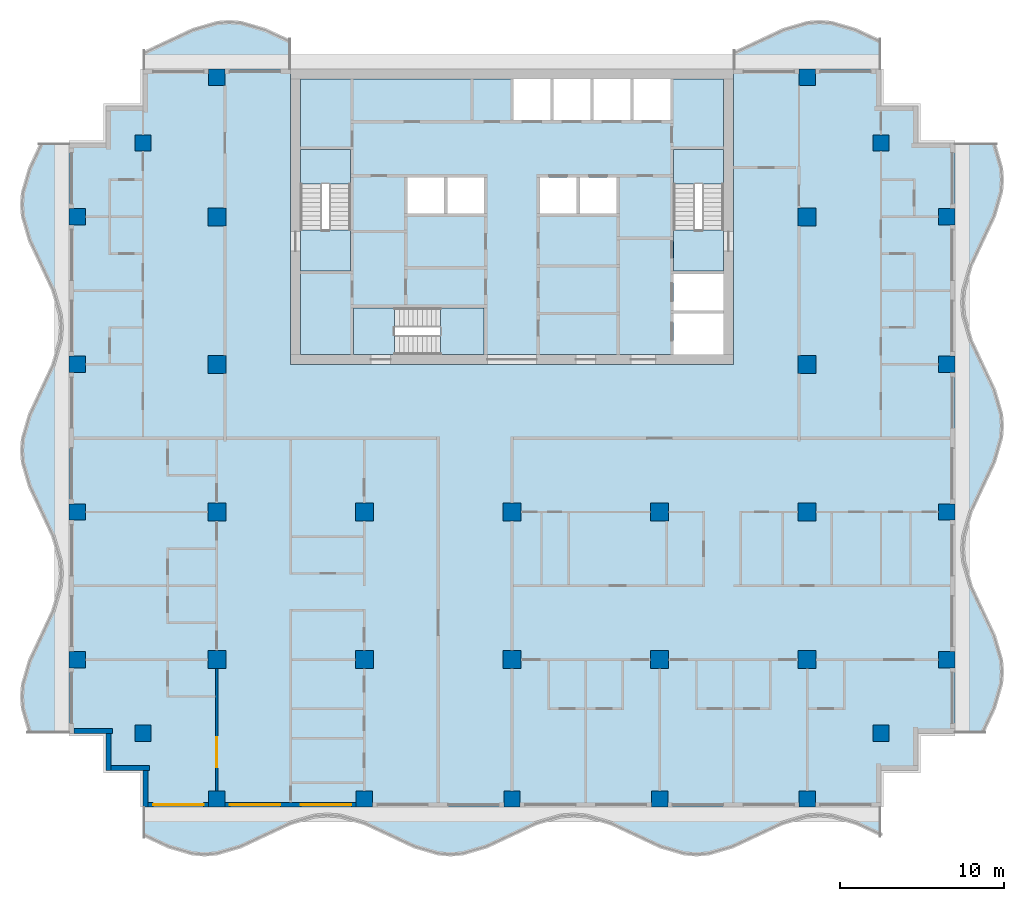
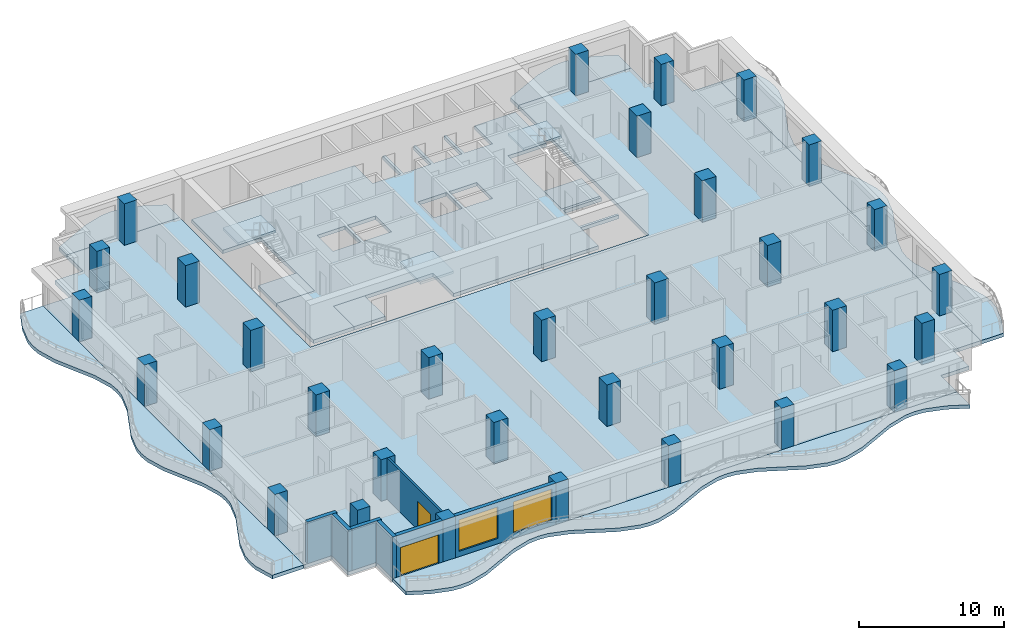
# One storey, part 1 of 12: 33 columns, 13 slabs, 7 walls, 2 doors, 2 windows, 4 openings, 3 elements without a shape of their own.
"""IFC4 building model written with IfcOpenShell, lengths in metres."""

from ifc_helpers import new_model, si_unit, direction, frame, frame_2d, origin, origin_2d, place, context, subcontext, project, spatial, polyline, rectangle, outline, extrude, material, layer, layer_set, material_profile, profile_set, type_object, element, fill, aggregate, save


model = new_model("IFC4")

# Units and contexts
model_context = context("Model", 3, precision=1e-05, world=origin(), true_north=direction((0.0, 1.0)))
body_context = subcontext(model_context, "Body", "Model", "MODEL_VIEW")
ifc_project = project(units=[si_unit("LENGTHUNIT", "METRE"), si_unit("AREAUNIT", "SQUARE_METRE"), si_unit("VOLUMEUNIT", "CUBIC_METRE"), si_unit("PLANEANGLEUNIT", "RADIAN"), si_unit("MASSUNIT", "GRAM", prefix="KILO")], contexts=[model_context])

# Site, building, storey
site_placement = place(None, origin())
site = spatial("IfcSite", under=ifc_project, at=site_placement, CompositionType="ELEMENT")
building_placement = place(site_placement, origin())
building = spatial("IfcBuilding", under=site, at=building_placement, Name="Orbiselva Terraces", CompositionType="ELEMENT")
storey_placement = place(building_placement, frame((0.0, 0.0, 211.0)))
storey = spatial("IfcBuildingStorey", under=building, at=storey_placement, Name="L53", CompositionType="ELEMENT", Elevation=211.0)

# Columns
ifc_material_1 = material(Name="Concrete C60/75", Category="concrete")
ifc_material_profile_1 = material_profile(ifc_material_1, rectangle(XDim=1.1, YDim=1.1, at=origin_2d()), Name="RC 1100x1100")
ifc_profile_set_1 = profile_set([ifc_material_profile_1], Name="Concrete C60/75")
column_type_1 = type_object("IfcColumnType", Name="COLUMN RC 1100x1100", PredefinedType="COLUMN", material=ifc_profile_set_1)
for number, where, z_axis, x_axis, name in (
    (1, (-18.0, -13.5, 0.0), (0.0, 0.0, 1.0), (1.0, 0.0, 0.0), "Column L53-01"),
    (2, (-18.0, -4.5, 0.0), (0.0, 0.0, 1.0), (1.0, 0.0, 0.0), "Column L53-03"),
    (3, (-18.0, 13.5, 0.0), (0.0, 0.0, 1.0), (1.0, 0.0, 0.0), "Column L53-04"),
    (4, (-18.0, 4.5, 0.0), (0.0, 0.0, 1.0), (1.0, 0.0, 0.0), "Column L53-06"),
    (5, (-9.0, -13.5, 0.0), (0.0, 0.0, 1.0), (1.0, 0.0, 0.0), "Column L53-13"),
    (6, (-9.0, -4.5, 0.0), (0.0, 0.0, 1.0), (1.0, 0.0, 0.0), "Column L53-15"),
    (7, (0.0, -13.5, 0.0), (0.0, 0.0, 1.0), (1.0, 0.0, 0.0), "Column L53-16"),
    (8, (0.0, -4.5, 0.0), (0.0, 0.0, 1.0), (1.0, 0.0, 0.0), "Column L53-18"),
    (9, (18.0, -13.5, 0.0), (0.0, 0.0, 1.0), (1.0, 0.0, 0.0), "Column L53-19"),
    (10, (18.0, -4.5, 0.0), (0.0, 0.0, 1.0), (1.0, 0.0, 0.0), "Column L53-21"),
    (11, (18.0, 13.5, 0.0), (0.0, 0.0, 1.0), (1.0, 0.0, 0.0), "Column L53-22"),
    (12, (18.0, 4.5, 0.0), (0.0, 0.0, 1.0), (1.0, 0.0, 0.0), "Column L53-24"),
    (13, (9.0, -13.5, 0.0), (0.0, 0.0, 1.0), (1.0, 0.0, 0.0), "Column L53-31"),
    (14, (9.0, -4.5, 0.0), (0.0, 0.0, 1.0), (1.0, 0.0, 0.0), "Column L53-33"),
):
    element("IfcColumn", number, at=place(storey_placement, frame(where, z_axis=z_axis, x_axis=x_axis)), inside=storey, type_object=column_type_1, Name=name, PredefinedType="COLUMN", context=body_context, shape_type="SweptSolid", body=[
        extrude(rectangle(XDim=1.1, YDim=1.1, at=origin_2d()), origin(), (0.0, 0.0, 1.0), 3.5),
    ])
ifc_material_2 = material(Name="Concrete C50/60", Category="concrete")
ifc_material_profile_2 = material_profile(ifc_material_2, rectangle(XDim=1.0, YDim=1.0, at=origin_2d()), Name="RC 1000x1000")
ifc_profile_set_2 = profile_set([ifc_material_profile_2], Name="Concrete C50/60")
column_type_2 = type_object("IfcColumnType", Name="PERIMETER COLUMN RC 1000x1000", PredefinedType="COLUMN", material=ifc_profile_set_2)
for number, where, z_axis, x_axis, name in (
    (15, (-18.0, -22.0, 0.0), (0.0, 0.0, 1.0), (1.0, 0.0, 0.0), "Column L53-02"),
    (16, (-18.0, 22.0, 0.0), (0.0, 0.0, 1.0), (1.0, 0.0, 0.0), "Column L53-05"),
    (17, (-26.5, -13.5, 0.0), (0.0, 0.0, 1.0), (1.0, 0.0, 0.0), "Column L53-07"),
    (18, (-22.5, -18.0, 0.0), (0.0, 0.0, 1.0), (1.0, 0.0, 0.0), "Column L53-08"),
    (19, (-26.5, -4.5, 0.0), (0.0, 0.0, 1.0), (1.0, 0.0, 0.0), "Column L53-09"),
    (20, (-26.5, 13.5, 0.0), (0.0, 0.0, 1.0), (1.0, 0.0, 0.0), "Column L53-10"),
    (21, (-22.5, 18.0, 0.0), (0.0, 0.0, 1.0), (1.0, 0.0, 0.0), "Column L53-11"),
    (22, (-26.5, 4.5, 0.0), (0.0, 0.0, 1.0), (1.0, 0.0, 0.0), "Column L53-12"),
    (23, (-9.0, -22.0, 0.0), (0.0, 0.0, 1.0), (1.0, 0.0, 0.0), "Column L53-14"),
    (24, (0.0, -22.0, 0.0), (0.0, 0.0, 1.0), (1.0, 0.0, 0.0), "Column L53-17"),
    (25, (18.0, -22.0, 0.0), (0.0, 0.0, 1.0), (1.0, 0.0, 0.0), "Column L53-20"),
    (26, (18.0, 22.0, 0.0), (0.0, 0.0, 1.0), (1.0, 0.0, 0.0), "Column L53-23"),
    (27, (26.5, -13.5, 0.0), (0.0, 0.0, 1.0), (1.0, 0.0, 0.0), "Column L53-25"),
    (28, (22.5, -18.0, 0.0), (0.0, 0.0, 1.0), (1.0, 0.0, 0.0), "Column L53-26"),
    (29, (26.5, -4.5, 0.0), (0.0, 0.0, 1.0), (1.0, 0.0, 0.0), "Column L53-27"),
    (30, (26.5, 13.5, 0.0), (0.0, 0.0, 1.0), (1.0, 0.0, 0.0), "Column L53-28"),
    (31, (22.5, 18.0, 0.0), (0.0, 0.0, 1.0), (1.0, 0.0, 0.0), "Column L53-29"),
    (32, (26.5, 4.5, 0.0), (0.0, 0.0, 1.0), (1.0, 0.0, 0.0), "Column L53-30"),
    (33, (9.0, -22.0, 0.0), (0.0, 0.0, 1.0), (1.0, 0.0, 0.0), "Column L53-32"),
):
    element("IfcColumn", number, at=place(storey_placement, frame(where, z_axis=z_axis, x_axis=x_axis)), inside=storey, type_object=column_type_2, Name=name, PredefinedType="COLUMN", context=body_context, shape_type="SweptSolid", body=[
        extrude(rectangle(XDim=1.0, YDim=1.0, at=origin_2d()), origin(), (0.0, 0.0, 1.0), 3.5),
    ])

# Slabs
ifc_material_3 = material(Name="Concrete C40/50", Category="concrete")
ifc_layer_1 = layer(ifc_material_3, 0.3)
ifc_layer_set_1 = layer_set([ifc_layer_1], Name="Concrete C40/50")
slab_type_1 = type_object("IfcSlabType", Name="CORE-SLAB-FLOOR-300", PredefinedType="FLOOR", material=ifc_layer_set_1)
slab_1_placement = place(storey_placement, frame((0.0, 0.0, -0.3)))
element("IfcSlab", 34, at=slab_1_placement, inside=storey, type_object=slab_type_1, Name="L53 S1 floor landing", PredefinedType="FLOOR", context=body_context, shape_type="SweptSolid", body=[
    extrude(outline(polyline([(-12.9, 12.7), (-9.85, 12.7), (-9.85, 10.2), (-12.9, 10.2), (-12.9, 12.7)])), origin(), (0.0, 0.0, 1.0), 0.3),
])
slab_2_placement = place(storey_placement, frame((0.0, 0.0, -0.3)))
element("IfcSlab", 35, at=slab_2_placement, inside=storey, type_object=slab_type_1, Name="L53 S2 floor landing", PredefinedType="FLOOR", context=body_context, shape_type="SweptSolid", body=[
    extrude(outline(polyline([(12.9, 12.7), (12.9, 10.2), (9.85, 10.2), (9.85, 12.7), (12.9, 12.7)])), origin(), (0.0, 0.0, 1.0), 0.3),
])
slab_3_placement = place(storey_placement, frame((0.0, 0.0, -0.3)))
element("IfcSlab", 36, at=slab_3_placement, inside=storey, type_object=slab_type_1, Name="L53 S3 floor landing", PredefinedType="FLOOR", context=body_context, shape_type="SweptSolid", body=[
    extrude(outline(polyline([(-7.15, 5.1), (-9.65, 5.1), (-9.65, 7.95), (-7.15, 7.95), (-7.15, 5.1)])), origin(), (0.0, 0.0, 1.0), 0.3),
])
slab_4_placement = place(storey_placement, frame((0.0, 0.0, -0.3)))
element("IfcSlab", 37, at=slab_4_placement, inside=storey, type_object=slab_type_1, Name="L53 core floor slab 1", PredefinedType="FLOOR", context=body_context, shape_type="SweptSolid", body=[
    extrude(outline(polyline([(-1.7, 5.1), (-1.7, 7.95), (-9.65, 7.95), (-9.65, 5.1), (-12.9, 5.1), (-12.9, 10.2), (-9.85, 10.2), (-9.85, 17.6), (-12.9, 17.6), (-12.9, 21.9), (0.1, 21.9), (0.1, 19.4), (2.3375, 19.4), (2.3375, 21.9), (2.5375, 21.9), (2.5375, 19.4), (4.775, 19.4), (4.775, 21.9), (4.975, 21.9), (4.975, 19.4), (7.2125, 19.4), (7.2125, 21.9), (7.4125, 21.9), (7.4125, 19.4), (9.65, 19.4), (9.65, 21.9), (12.9, 21.9), (12.9, 17.6), (9.85, 17.6), (9.85, 10.2), (12.9, 10.2), (12.9, 10.0), (9.85, 10.0), (9.85, 7.8), (12.9, 7.8), (12.9, 7.6), (9.85, 7.6), (9.85, 5.1), (-1.7, 5.1)]), holes=[polyline([(-4.1375, 13.7), (-4.1375, 15.9), (-6.375, 15.9), (-6.375, 13.7), (-4.1375, 13.7)]), polyline([(-1.7, 13.7), (-1.7, 15.9), (-3.9375, 15.9), (-3.9375, 13.7), (-1.7, 13.7)]), polyline([(3.9375, 15.9), (1.7, 15.9), (1.7, 13.7), (3.9375, 13.7), (3.9375, 15.9)]), polyline([(6.375, 13.7), (6.375, 15.9), (4.1375, 15.9), (4.1375, 13.7), (6.375, 13.7)])]), origin(), (0.0, 0.0, 1.0), 0.3),
])

# Stair, slab
stair_type_1 = type_object("IfcStairType", Name="CORE-STAIR-1300", PredefinedType="HALF_TURN_STAIR", material=ifc_material_3)
stair_1_placement = place(storey_placement, origin())
stair_1 = element("IfcStair", 38, at=stair_1_placement, inside=storey, type_object=stair_type_1, Name="L53 Exit Stair S1", PredefinedType="HALF_TURN_STAIR")
ifc_layer_2 = layer(ifc_material_3, 0.2)
ifc_layer_set_2 = layer_set([ifc_layer_2], Name="Concrete C40/50")
slab_type_2 = type_object("IfcSlabType", Name="CORE-STAIR-LANDING-200", PredefinedType="LANDING", material=ifc_layer_set_2)
slab_5_placement = place(storey_placement, frame((0.0, 0.0, 1.7)))
slab_5 = element("IfcSlab", 39, at=slab_5_placement, type_object=slab_type_2, Name="S1 landing 1", PredefinedType="LANDING", context=body_context, shape_type="SweptSolid", body=[
    extrude(outline(polyline([(-9.85, 15.5), (-9.85, 17.6), (-12.9, 17.6), (-12.9, 15.5), (-9.85, 15.5)])), origin(), (0.0, 0.0, 1.0), 0.2),
])
aggregate(stair_1, [slab_5])

stair_2_placement = place(storey_placement, origin())
stair_2 = element("IfcStair", 40, at=stair_2_placement, inside=storey, type_object=stair_type_1, Name="L53 Exit Stair S2", PredefinedType="HALF_TURN_STAIR")
slab_6_placement = place(storey_placement, frame((0.0, 0.0, 1.7)))
slab_6 = element("IfcSlab", 41, at=slab_6_placement, type_object=slab_type_2, Name="S2 landing 1", PredefinedType="LANDING", context=body_context, shape_type="SweptSolid", body=[
    extrude(outline(polyline([(12.9, 15.5), (12.9, 17.6), (9.85, 17.6), (9.85, 15.5), (12.9, 15.5)])), origin(), (0.0, 0.0, 1.0), 0.2),
])
aggregate(stair_2, [slab_6])

stair_type_2 = type_object("IfcStairType", Name="CORE-STAIR-1200", PredefinedType="HALF_TURN_STAIR", material=ifc_material_3)
stair_3_placement = place(storey_placement, origin())
stair_3 = element("IfcStair", 42, at=stair_3_placement, inside=storey, type_object=stair_type_2, Name="L53 Exit Stair S3", PredefinedType="HALF_TURN_STAIR")
slab_7_placement = place(storey_placement, frame((0.0, 0.0, 1.7)))
slab_7 = element("IfcSlab", 43, at=slab_7_placement, type_object=slab_type_2, Name="S3 landing 1", PredefinedType="LANDING", context=body_context, shape_type="SweptSolid", body=[
    extrude(outline(polyline([(-4.35, 5.1), (-1.7, 5.1), (-1.7, 7.95), (-4.35, 7.95), (-4.35, 5.1)])), origin(), (0.0, 0.0, 1.0), 0.2),
])
aggregate(stair_3, [slab_7])

# Slabs
ifc_layer_3 = layer(ifc_material_2, 0.3)
ifc_layer_set_3 = layer_set([ifc_layer_3], Name="Concrete C50/60")
slab_type_3 = type_object("IfcSlabType", Name="ENV-BALCONY-SLAB-300", PredefinedType="FLOOR", material=ifc_layer_set_3)
slab_8_placement = place(storey_placement, frame((0.0, 0.0, -0.3)))
element("IfcSlab", 44, at=slab_8_placement, inside=storey, type_object=slab_type_3, Name="Balcony slab L53 S", PredefinedType="FLOOR", context=body_context, shape_type="SweptSolid", body=[
    extrude(outline(polyline([(-22.5, -24.3), (-21.0, -25.005342), (-19.5, -25.441268), (-18.75, -25.5), (-18.0, -25.441268), (-16.5, -25.005342), (-13.5, -23.594658), (-12.0, -23.158732), (-11.25, -23.1), (-10.5, -23.158732), (-9.0, -23.594658), (-6.0, -25.005342), (-4.5, -25.441268), (-3.75, -25.5), (-3.0, -25.441268), (-1.5, -25.005342), (1.5, -23.594658), (3.0, -23.158732), (3.75, -23.1), (4.5, -23.158732), (6.0, -23.594658), (9.0, -25.005342), (10.5, -25.441268), (11.25, -25.5), (12.0, -25.441268), (13.5, -25.005342), (16.5, -23.594658), (18.0, -23.158732), (18.75, -23.1), (19.5, -23.158732), (21.0, -23.594658), (22.5, -24.3), (22.5, -22.5), (-22.5, -22.5), (-22.5, -24.3)])), origin(), (0.0, 0.0, 1.0), 0.3),
])
slab_9_placement = place(storey_placement, frame((0.0, 0.0, -0.3)))
element("IfcSlab", 45, at=slab_9_placement, inside=storey, type_object=slab_type_3, Name="Balcony slab L53 E", PredefinedType="FLOOR", context=body_context, shape_type="SweptSolid", body=[
    extrude(outline(polyline([(28.8, -18.0), (29.505342, -16.5), (29.941268, -15.0), (30.0, -14.25), (29.941268, -13.5), (29.505342, -12.0), (28.094658, -9.0), (27.658732, -7.5), (27.6, -6.75), (27.658732, -6.0), (28.094658, -4.5), (29.505342, -1.5), (29.941268, 0.0), (30.0, 0.75), (29.941268, 1.5), (29.505342, 3.0), (28.094658, 6.0), (27.658732, 7.5), (27.6, 8.25), (27.658732, 9.0), (28.094658, 10.5), (29.505342, 13.5), (29.941268, 15.0), (30.0, 15.75), (29.941268, 16.5), (29.505342, 18.0), (27.0, 18.0), (27.0, -18.0), (28.8, -18.0)])), origin(), (0.0, 0.0, 1.0), 0.3),
])
slab_10_placement = place(storey_placement, frame((0.0, 0.0, -0.3)))
element("IfcSlab", 46, at=slab_10_placement, inside=storey, type_object=slab_type_3, Name="Balcony slab L53 NE", PredefinedType="FLOOR", context=body_context, shape_type="SweptSolid", body=[
    extrude(outline(polyline([(22.5, 24.3), (21.0, 25.005342), (19.5, 25.441268), (18.75, 25.5), (18.0, 25.441268), (16.5, 25.005342), (13.5, 23.594658), (13.5, 22.5), (22.5, 22.5), (22.5, 24.3)])), origin(), (0.0, 0.0, 1.0), 0.3),
])
slab_11_placement = place(storey_placement, frame((0.0, 0.0, -0.3)))
element("IfcSlab", 47, at=slab_11_placement, inside=storey, type_object=slab_type_3, Name="Balcony slab L53 NW", PredefinedType="FLOOR", context=body_context, shape_type="SweptSolid", body=[
    extrude(outline(polyline([(-13.5, 24.3), (-15.0, 25.005342), (-16.5, 25.441268), (-17.25, 25.5), (-18.0, 25.441268), (-19.5, 25.005342), (-22.5, 23.594658), (-22.5, 22.5), (-13.5, 22.5), (-13.5, 24.3)])), origin(), (0.0, 0.0, 1.0), 0.3),
])
slab_12_placement = place(storey_placement, frame((0.0, 0.0, -0.3)))
element("IfcSlab", 48, at=slab_12_placement, inside=storey, type_object=slab_type_3, Name="Balcony slab L53 W", PredefinedType="FLOOR", context=body_context, shape_type="SweptSolid", body=[
    extrude(outline(polyline([(-28.8, 18.0), (-29.505342, 16.5), (-29.941268, 15.0), (-30.0, 14.25), (-29.941268, 13.5), (-29.505342, 12.0), (-28.094658, 9.0), (-27.658732, 7.5), (-27.6, 6.75), (-27.658732, 6.0), (-28.094658, 4.5), (-29.505342, 1.5), (-29.941268, 0.0), (-30.0, -0.75), (-29.941268, -1.5), (-29.505342, -3.0), (-28.094658, -6.0), (-27.658732, -7.5), (-27.6, -8.25), (-27.658732, -9.0), (-28.094658, -10.5), (-29.505342, -13.5), (-29.941268, -15.0), (-30.0, -15.75), (-29.941268, -16.5), (-29.505342, -18.0), (-27.0, -18.0), (-27.0, 18.0), (-28.8, 18.0)])), origin(), (0.0, 0.0, 1.0), 0.3),
])
ifc_layer_4 = layer(ifc_material_2, 0.3)
ifc_layer_set_4 = layer_set([ifc_layer_4], Name="Concrete C50/60")
slab_type_4 = type_object("IfcSlabType", Name="FLOOR SLAB 300", PredefinedType="FLOOR", material=ifc_layer_set_4)
slab_13_placement = place(storey_placement, frame((0.0, 0.0, -0.3)))
element("IfcSlab", 49, at=slab_13_placement, inside=storey, type_object=slab_type_4, Name="Floor slab L53", PredefinedType="FLOOR", context=body_context, shape_type="SweptSolid", body=[
    extrude(outline(polyline([(22.5, 22.5), (22.5, 20.25), (24.75, 20.25), (24.75, 18.0), (27.0, 18.0), (27.0, -18.0), (24.75, -18.0), (24.75, -20.25), (22.5, -20.25), (22.5, -22.5), (-22.5, -22.5), (-22.5, -20.25), (-24.75, -20.25), (-24.75, -18.0), (-27.0, -18.0), (-27.0, 18.0), (-24.75, 18.0), (-24.75, 20.25), (-22.5, 20.25), (-22.5, 22.5), (-13.5, 22.5), (-13.5, 4.5), (13.5, 4.5), (13.5, 22.5), (22.5, 22.5)])), origin(), (0.0, 0.0, 1.0), 0.3),
])

# Wall, opening, door
ifc_material_4 = material(Name="Terracotta cladding on masonry backing", Category="masonry")
ifc_layer_5 = layer(ifc_material_4, 0.3)
ifc_layer_set_5 = layer_set([ifc_layer_5], Name="Terracotta cladding on masonry backing")
wall_type_1 = type_object("IfcWallType", Name="ENV-WALL-TERRACOTTA-300", PredefinedType="SOLIDWALL", material=ifc_layer_set_5)
wall_1_placement = place(storey_placement, frame((-18.5, -22.35, 0.0), z_axis=(0.0, 0.0, 1.0), x_axis=(-1.0, 0.0, 0.0)))
wall_1 = element("IfcWall", 50, at=wall_1_placement, inside=storey, type_object=wall_type_1, Name="Facade wall L53 S", PredefinedType="SOLIDWALL", context=body_context, shape_type="SweptSolid", body=[
    extrude(rectangle(XDim=3.7, YDim=0.3, at=frame_2d((1.85, 0.0))), origin(), (0.0, 0.0, 1.0), 3.5),
])
opening_1_placement = place(wall_1_placement, frame((0.3, 0.0, 0.0)))
opening_1 = element("IfcOpeningElement", 51, at=opening_1_placement, cuts=wall_1, Name="Opening Z4-C-E13", PredefinedType="OPENING", context=body_context, shape_type="SweptSolid", body=[
    extrude(rectangle(XDim=3.075, YDim=2.4, at=frame_2d((1.5375, 1.2))), frame((0.0, 0.16, 0.0), z_axis=(0.0, -1.0, 0.0), x_axis=(1.0, 0.0, 0.0)), (0.0, 0.0, 1.0), 0.32),
])
ifc_material_5 = material(Name="Clear low-e glazing in aluminium frame", Category="aluminium")
door_type_1 = type_object("IfcDoorType", Name="BALCONY DOOR 3075 X 2400", OperationType="DOUBLE_DOOR_SLIDING", PredefinedType="DOOR", material=ifc_material_5)
door_1_placement = place(opening_1_placement, origin())
door_1 = element("IfcDoor", 52, at=door_1_placement, inside=storey, type_object=door_type_1, Name="Z4-C-E13", OperationType="SINGLE_SWING_LEFT", OverallHeight=2.4, OverallWidth=3.075, PredefinedType="DOOR", context=body_context, shape_type="SweptSolid", body=[
    extrude(rectangle(XDim=3.075, YDim=2.4, at=frame_2d((1.5375, 1.2))), frame((0.0, 0.025, 0.0), z_axis=(0.0, -1.0, 0.0), x_axis=(1.0, 0.0, 0.0)), (0.0, 0.0, 1.0), 0.05),
])
fill(opening_1, door_1)

# Wall, openings, windows
wall_2_placement = place(storey_placement, frame((-9.5, -22.35, 0.0), z_axis=(0.0, 0.0, 1.0), x_axis=(-1.0, 0.0, 0.0)))
wall_2 = element("IfcWall", 53, at=wall_2_placement, inside=storey, type_object=wall_type_1, Name="Facade wall L53 S", PredefinedType="SOLIDWALL", context=body_context, shape_type="SweptSolid", body=[
    extrude(rectangle(XDim=8.0, YDim=0.3, at=frame_2d((4.0, 0.0))), origin(), (0.0, 0.0, 1.0), 3.5),
])
opening_2_placement = place(wall_2_placement, frame((4.625, 0.0, 0.45)))
opening_2 = element("IfcOpeningElement", 54, at=opening_2_placement, cuts=wall_2, Name="Opening WN15", PredefinedType="OPENING", context=body_context, shape_type="SweptSolid", body=[
    extrude(rectangle(XDim=3.075, YDim=2.65, at=frame_2d((1.5375, 1.325))), frame((0.0, 0.16, 0.0), z_axis=(0.0, -1.0, 0.0), x_axis=(1.0, 0.0, 0.0)), (0.0, 0.0, 1.0), 0.32),
])
opening_3_placement = place(wall_2_placement, frame((0.3, 0.0, 0.45)))
opening_3 = element("IfcOpeningElement", 55, at=opening_3_placement, cuts=wall_2, Name="Opening WN15", PredefinedType="OPENING", context=body_context, shape_type="SweptSolid", body=[
    extrude(rectangle(XDim=3.075, YDim=2.65, at=frame_2d((1.5375, 1.325))), frame((0.0, 0.16, 0.0), z_axis=(0.0, -1.0, 0.0), x_axis=(1.0, 0.0, 0.0)), (0.0, 0.0, 1.0), 0.32),
])
window_type = type_object("IfcWindowType", Name="WINDOW 3075 X 2650 S450", PartitioningType="TRIPLE_PANEL_VERTICAL", PredefinedType="WINDOW", material=ifc_material_5)
window_1_placement = place(opening_2_placement, origin())
window_1 = element("IfcWindow", 56, at=window_1_placement, inside=storey, type_object=window_type, Name="Window L53 S", OverallHeight=2.65, OverallWidth=3.075, PartitioningType="SINGLE_PANEL", PredefinedType="WINDOW", context=body_context, shape_type="SweptSolid", body=[
    extrude(rectangle(XDim=3.075, YDim=2.65, at=frame_2d((1.5375, 1.325))), frame((0.0, 0.03, 0.0), z_axis=(0.0, -1.0, 0.0), x_axis=(1.0, 0.0, 0.0)), (0.0, 0.0, 1.0), 0.06),
])
fill(opening_2, window_1)
window_2_placement = place(opening_3_placement, origin())
window_2 = element("IfcWindow", 57, at=window_2_placement, inside=storey, type_object=window_type, Name="Window L53 S", OverallHeight=2.65, OverallWidth=3.075, PartitioningType="SINGLE_PANEL", PredefinedType="WINDOW", context=body_context, shape_type="SweptSolid", body=[
    extrude(rectangle(XDim=3.075, YDim=2.65, at=frame_2d((1.5375, 1.325))), frame((0.0, 0.03, 0.0), z_axis=(0.0, -1.0, 0.0), x_axis=(1.0, 0.0, 0.0)), (0.0, 0.0, 1.0), 0.06),
])
fill(opening_3, window_2)

# Walls
wall_3_placement = place(storey_placement, frame((-24.35, -17.85, 0.0), z_axis=(0.0, 0.0, 1.0), x_axis=(-1.0, 0.0, 0.0)))
element("IfcWall", 58, at=wall_3_placement, inside=storey, type_object=wall_type_1, Name="Facade wall L53 STEP", PredefinedType="SOLIDWALL", context=body_context, shape_type="SweptSolid", body=[
    extrude(rectangle(XDim=2.35, YDim=0.3, at=frame_2d((1.175, 0.0))), origin(), (0.0, 0.0, 1.0), 3.5),
])
wall_4_placement = place(storey_placement, frame((-24.6, -20.25, 0.0), z_axis=(0.0, 0.0, 1.0), x_axis=(0.0, 1.0, 0.0)))
element("IfcWall", 59, at=wall_4_placement, inside=storey, type_object=wall_type_1, Name="Facade wall L53 STEP", PredefinedType="SOLIDWALL", context=body_context, shape_type="SweptSolid", body=[
    extrude(rectangle(XDim=2.25, YDim=0.3, at=frame_2d((1.125, 0.0))), origin(), (0.0, 0.0, 1.0), 3.5),
])
wall_5_placement = place(storey_placement, frame((-22.1, -20.1, 0.0), z_axis=(0.0, 0.0, 1.0), x_axis=(-1.0, 0.0, 0.0)))
element("IfcWall", 60, at=wall_5_placement, inside=storey, type_object=wall_type_1, Name="Facade wall L53 STEP", PredefinedType="SOLIDWALL", context=body_context, shape_type="SweptSolid", body=[
    extrude(rectangle(XDim=2.35, YDim=0.3, at=frame_2d((1.175, 0.0))), origin(), (0.0, 0.0, 1.0), 3.5),
])
wall_6_placement = place(storey_placement, frame((-22.35, -22.5, 0.0), z_axis=(0.0, 0.0, 1.0), x_axis=(0.0, 1.0, 0.0)))
element("IfcWall", 61, at=wall_6_placement, inside=storey, type_object=wall_type_1, Name="Facade wall L53 STEP", PredefinedType="SOLIDWALL", context=body_context, shape_type="SweptSolid", body=[
    extrude(rectangle(XDim=2.25, YDim=0.3, at=frame_2d((1.125, 0.0))), origin(), (0.0, 0.0, 1.0), 3.5),
])

# Wall, opening, door
ifc_material_6 = material(Name="Plasterboard on steel stud partition", Category="steel")
ifc_layer_6 = layer(ifc_material_6, 0.15)
ifc_layer_set_6 = layer_set([ifc_layer_6], Name="Plasterboard on steel stud partition")
wall_type_2 = type_object("IfcWallType", Name="UNIT-PARTITION-150", PredefinedType="PARTITIONING", material=ifc_layer_set_6)
wall_7_placement = place(storey_placement, frame((-18.0, -21.5, 0.0), z_axis=(0.0, 0.0, 1.0), x_axis=(0.0, 1.0, 0.0)))
wall_7 = element("IfcWall", 62, at=wall_7_placement, inside=storey, type_object=wall_type_2, Name="PARTITION L53-056", PredefinedType="PARTITIONING", context=body_context, shape_type="SweptSolid", body=[
    extrude(rectangle(XDim=7.45, YDim=0.15, at=frame_2d((3.725, 0.0))), origin(), (0.0, 0.0, 1.0), 3.5),
])
opening_4_placement = place(wall_7_placement, frame((1.45, 0.0, 0.0)))
opening_4 = element("IfcOpeningElement", 63, at=opening_4_placement, cuts=wall_7, Name="Opening Z4-C-32", PredefinedType="OPENING", context=body_context, shape_type="SweptSolid", body=[
    extrude(rectangle(XDim=1.8, YDim=2.4, at=frame_2d((0.9, 1.2))), frame((0.0, 0.085, 0.0), z_axis=(0.0, -1.0, 0.0), x_axis=(1.0, 0.0, 0.0)), (0.0, 0.0, 1.0), 0.17),
])
ifc_material_7 = material(Name="Painted timber door leaf", Category="wood")
door_type_2 = type_object("IfcDoorType", Name="DOUBLE DOOR 1800", OperationType="NOTDEFINED", PredefinedType="DOOR", material=ifc_material_7)
door_2_placement = place(opening_4_placement, origin())
door_2 = element("IfcDoor", 64, at=door_2_placement, inside=storey, type_object=door_type_2, Name="Z4-C-32", OperationType="DOUBLE_DOOR_SINGLE_SWING", OverallHeight=2.4, OverallWidth=1.8, PredefinedType="DOOR", context=body_context, shape_type="SweptSolid", body=[
    extrude(rectangle(XDim=1.8, YDim=2.4, at=frame_2d((0.9, 1.2))), frame((0.0, 0.025, 0.0), z_axis=(0.0, -1.0, 0.0), x_axis=(1.0, 0.0, 0.0)), (0.0, 0.0, 1.0), 0.05),
])
fill(opening_4, door_2)

save(model, "model.ifc")
